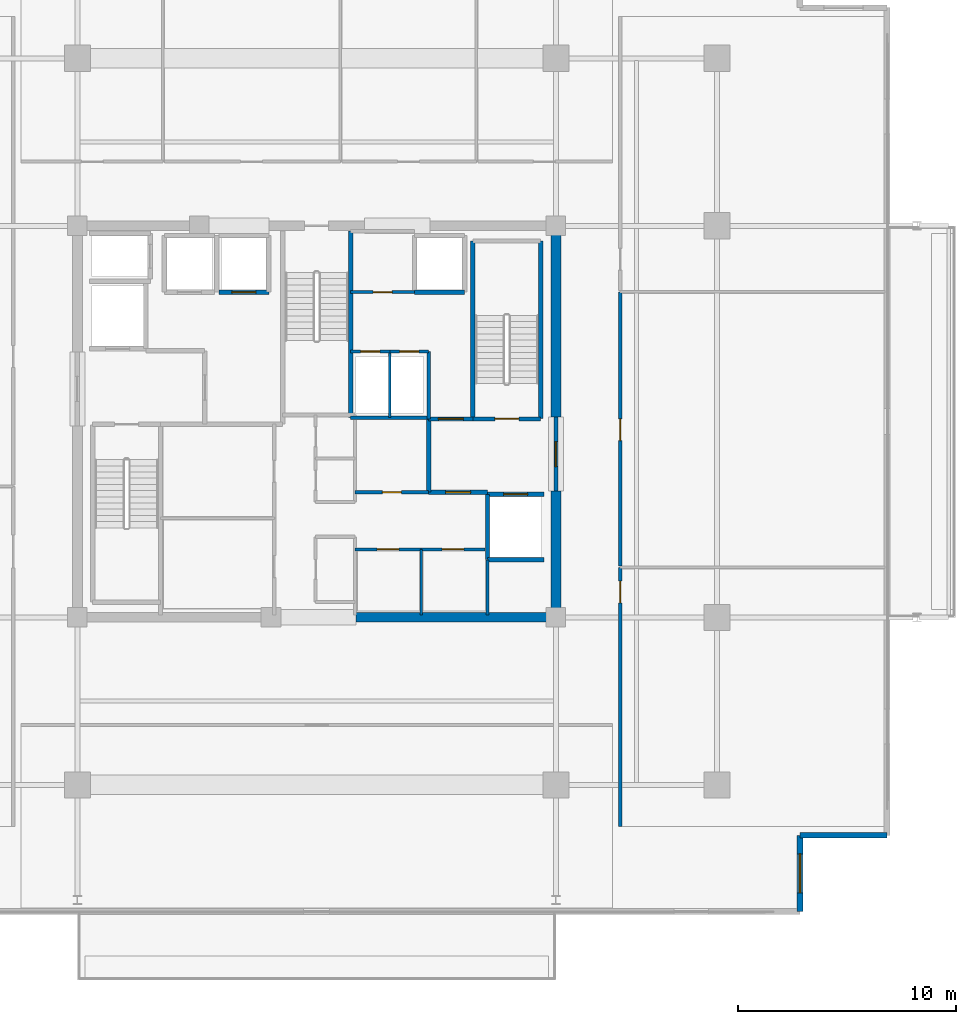
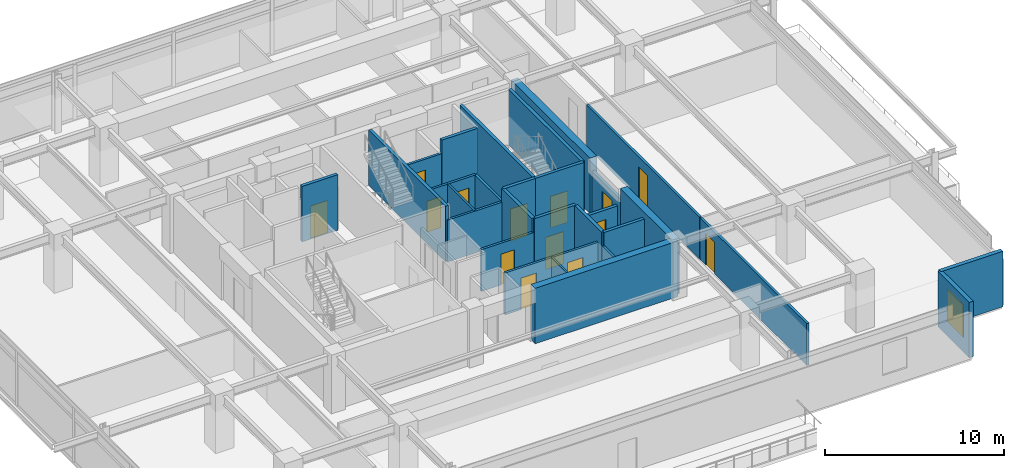
# One storey, part 17 of 23: 31 walls, 14 doors, 1 window, 15 openings.
"""IFC4 building model written with IfcOpenShell, lengths in metres."""

from ifc_helpers import new_model, si_unit, direction, frame, frame_2d, origin, place, context, subcontext, project, spatial, rectangle, extrude, material, layer, layer_set, type_object, element, fill, save


model = new_model("IFC4")

# Units and contexts
model_context = context("Model", 3, precision=1e-05, world=origin(), true_north=direction((0.0, 1.0)))
body_context = subcontext(model_context, "Body", "Model", "MODEL_VIEW")
ifc_project = project(units=[si_unit("LENGTHUNIT", "METRE"), si_unit("AREAUNIT", "SQUARE_METRE"), si_unit("VOLUMEUNIT", "CUBIC_METRE"), si_unit("PLANEANGLEUNIT", "RADIAN"), si_unit("MASSUNIT", "GRAM", prefix="KILO")], contexts=[model_context])

# Site, building, storey
site_placement = place(None, origin())
site = spatial("IfcSite", under=ifc_project, at=site_placement, CompositionType="ELEMENT")
building_placement = place(site_placement, origin())
building = spatial("IfcBuilding", under=site, at=building_placement, Name="Kovane Verandah Tower", CompositionType="ELEMENT")
storey_placement = place(building_placement, frame((0.0, 0.0, 267.199951171875)))
storey = spatial("IfcBuildingStorey", under=building, at=storey_placement, Name="L62", CompositionType="ELEMENT", Elevation=267.199951171875)

# Walls
ifc_material_1 = material(Name="Fire-Rated Gypsum Stud Partition", Category="gypsum")
ifc_layer_1 = layer(ifc_material_1, 0.14990234375)
ifc_layer_set_1 = layer_set([ifc_layer_1], Name="Fire-Rated Gypsum Stud Partition")
wall_type_1 = type_object("IfcWallType", Name="WL-COR-150", PredefinedType="PARTITIONING", material=ifc_layer_set_1)
wall_1_placement = place(storey_placement, frame((41.56005859375, 27.679931640625, 0.0), z_axis=(0.0, 0.0, 1.0), x_axis=(1.0, 0.0, 0.0)))
element("IfcWall", 1, at=wall_1_placement, inside=storey, type_object=wall_type_1, Name="L62 East Core Service Riser South Wall", PredefinedType="PARTITIONING", context=body_context, shape_type="SweptSolid", body=[
    extrude(rectangle(XDim=3.58984375, YDim=0.14990234375, at=frame_2d((1.794921875, 0.0))), origin(), (0.0, 0.0, 1.0), 2.85009765625),
])
wall_2_placement = place(storey_placement, frame((47.85009765625, 18.60009765625, 0.0), z_axis=(0.0, 0.0, 1.0), x_axis=(0.0, 1.0, 0.0)))
element("IfcWall", 2, at=wall_2_placement, inside=storey, type_object=wall_type_1, Name="L62 East Core Support East Wall", PredefinedType="PARTITIONING", context=body_context, shape_type="SweptSolid", body=[
    extrude(rectangle(XDim=2.539794921875, YDim=0.14990234375, at=frame_2d((1.27001953125, 0.0))), origin(), (0.0, 0.0, 1.0), 2.85009765625),
])

# Wall, opening, door
wall_3_placement = place(storey_placement, frame((41.760009765625, 21.6201171875, 0.0), z_axis=(0.0, 0.0, 1.0), x_axis=(1.0, 0.0, 0.0)))
wall_3 = element("IfcWall", 3, at=wall_3_placement, inside=storey, type_object=wall_type_1, Name="L62 AV Control Room Partition", PredefinedType="PARTITIONING", context=body_context, shape_type="SweptSolid", body=[
    extrude(rectangle(XDim=3.0400390625, YDim=0.14990234375, at=frame_2d((1.52001953125, 0.0))), origin(), (0.0, 0.0, 1.0), 2.85009765625),
])
opening_1_placement = place(wall_3_placement, frame((1.02001953125, 0.0, 0.0)))
opening_1 = element("IfcOpeningElement", 4, at=opening_1_placement, cuts=wall_3, Name="Opening DR-L62-016", PredefinedType="OPENING", context=body_context, shape_type="SweptSolid", body=[
    extrude(rectangle(XDim=1.0, YDim=2.14990234375, at=frame_2d((0.5, 1.074951171875))), frame((0.0, 0.074951171875, 0.0), z_axis=(0.0, -1.0, 0.0), x_axis=(1.0, 0.0, 0.0)), (0.0, 0.0, 1.0), 0.14990234375),
])
ifc_material_2 = material(Name="FSC Spotted-Gum Timber Fire-Rated Office Door", Category="wood")
door_type_1 = type_object("IfcDoorType", Name="DR-OFF-1000", OperationType="SINGLE_SWING_LEFT", PredefinedType="DOOR", material=ifc_material_2)
door_1_placement = place(opening_1_placement, origin())
door_1 = element("IfcDoor", 5, at=door_1_placement, inside=storey, type_object=door_type_1, Name="L62 AV Control Room Door", OperationType="SINGLE_SWING_RIGHT", OverallHeight=2.14990234375, OverallWidth=1.0, PredefinedType="DOOR", context=body_context, shape_type="SweptSolid", body=[
    extrude(rectangle(XDim=1.0, YDim=2.14990234375, at=frame_2d((0.5, 1.074951171875))), frame((0.0, 0.02490234375, 0.0), z_axis=(0.0, -1.0, 0.0), x_axis=(1.0, 0.0, 0.0)), (0.0, 0.0, 1.0), 0.050048828125),
])
fill(opening_1, door_1)

wall_4_placement = place(storey_placement, frame((44.800048828125, 21.6201171875, 0.0), z_axis=(0.0, 0.0, 1.0), x_axis=(1.0, 0.0, 0.0)))
wall_4 = element("IfcWall", 6, at=wall_4_placement, inside=storey, type_object=wall_type_1, Name="L62 East IT Server Room Partition", PredefinedType="PARTITIONING", context=body_context, shape_type="SweptSolid", body=[
    extrude(rectangle(XDim=2.93994140625, YDim=0.14990234375, at=frame_2d((1.469970703125, 0.0))), origin(), (0.0, 0.0, 1.0), 2.85009765625),
])
opening_2_placement = place(wall_4_placement, frame((0.969970703125, 0.0, 0.0)))
opening_2 = element("IfcOpeningElement", 7, at=opening_2_placement, cuts=wall_4, Name="Opening DR-L62-017", PredefinedType="OPENING", context=body_context, shape_type="SweptSolid", body=[
    extrude(rectangle(XDim=1.0, YDim=2.14990234375, at=frame_2d((0.5, 1.074951171875))), frame((0.0, 0.074951171875, 0.0), z_axis=(0.0, -1.0, 0.0), x_axis=(1.0, 0.0, 0.0)), (0.0, 0.0, 1.0), 0.14990234375),
])
door_2_placement = place(opening_2_placement, origin())
door_2 = element("IfcDoor", 8, at=door_2_placement, inside=storey, type_object=door_type_1, Name="L62 East IT Server Room Door", OperationType="SINGLE_SWING_LEFT", OverallHeight=2.14990234375, OverallWidth=1.0, PredefinedType="DOOR", context=body_context, shape_type="SweptSolid", body=[
    extrude(rectangle(XDim=1.0, YDim=2.14990234375, at=frame_2d((0.5, 1.074951171875))), frame((0.0, 0.02490234375, 0.0), z_axis=(0.0, -1.0, 0.0), x_axis=(1.0, 0.0, 0.0)), (0.0, 0.0, 1.0), 0.050048828125),
])
fill(opening_2, door_2)

wall_5_placement = place(storey_placement, frame((41.760009765625, 24.25, 0.0), z_axis=(0.0, 0.0, 1.0), x_axis=(1.0, 0.0, 0.0)))
wall_5 = element("IfcWall", 9, at=wall_5_placement, inside=storey, type_object=wall_type_1, Name="L62 Cleaner Store Partition", PredefinedType="PARTITIONING", context=body_context, shape_type="SweptSolid", body=[
    extrude(rectangle(XDim=3.389892578125, YDim=0.14990234375, at=frame_2d((1.69482421875, 0.0))), origin(), (0.0, 0.0, 1.0), 2.85009765625),
])
opening_3_placement = place(wall_5_placement, frame((1.2548828125, 0.0, 0.0)))
opening_3 = element("IfcOpeningElement", 10, at=opening_3_placement, cuts=wall_5, Name="Opening DR-L62-018", PredefinedType="OPENING", context=body_context, shape_type="SweptSolid", body=[
    extrude(rectangle(XDim=0.8798828125, YDim=2.10009765625, at=frame_2d((0.43994140625, 1.050048828125))), frame((0.0, 0.074951171875, 0.0), z_axis=(0.0, -1.0, 0.0), x_axis=(1.0, 0.0, 0.0)), (0.0, 0.0, 1.0), 0.14990234375),
])
ifc_material_3 = material(Name="Fire-Rated Steel Riser Access Door", Category="steel")
door_type_2 = type_object("IfcDoorType", Name="DR-RISER-880", OperationType="SINGLE_SWING_LEFT", PredefinedType="DOOR", material=ifc_material_3)
door_3_placement = place(opening_3_placement, origin())
door_3 = element("IfcDoor", 11, at=door_3_placement, inside=storey, type_object=door_type_2, Name="L62 Cleaner Store Door", OperationType="SINGLE_SWING_RIGHT", OverallHeight=2.10009765625, OverallWidth=0.8798828125, PredefinedType="DOOR", context=body_context, shape_type="SweptSolid", body=[
    extrude(rectangle(XDim=0.8798828125, YDim=2.10009765625, at=frame_2d((0.43994140625, 1.050048828125))), frame((0.0, 0.02490234375, 0.0), z_axis=(0.0, -1.0, 0.0), x_axis=(1.0, 0.0, 0.0)), (0.0, 0.0, 1.0), 0.050048828125),
])
fill(opening_3, door_3)

# Wall
wall_6_placement = place(storey_placement, frame((45.14990234375, 27.6201171875, 0.0), z_axis=(0.0, 0.0, 1.0), x_axis=(0.0, 1.0, 0.0)))
element("IfcWall", 12, at=wall_6_placement, inside=storey, type_object=wall_type_1, Name="L62 East Core Service Riser East Wall", PredefinedType="PARTITIONING", context=body_context, shape_type="SweptSolid", body=[
    extrude(rectangle(XDim=3.099853515625, YDim=0.14990234375, at=frame_2d((1.5498046875, 0.0))), origin(), (0.0, 0.0, 1.0), 2.85009765625),
])

# Wall, opening, door
wall_7_placement = place(storey_placement, frame((41.56005859375, 30.719970703125, 0.0), z_axis=(0.0, 0.0, 1.0), x_axis=(1.0, 0.0, 0.0)))
wall_7 = element("IfcWall", 13, at=wall_7_placement, inside=storey, type_object=wall_type_1, Name="L62 Chilled Water Riser Room Partition", PredefinedType="PARTITIONING", context=body_context, shape_type="SweptSolid", body=[
    extrude(rectangle(XDim=1.800048828125, YDim=0.14990234375, at=frame_2d((0.89990234375, 0.0))), origin(), (0.0, 0.0, 1.0), 2.85009765625),
])
opening_4_placement = place(wall_7_placement, frame((0.4599609375, 0.0, 0.0)))
opening_4 = element("IfcOpeningElement", 14, at=opening_4_placement, cuts=wall_7, Name="Opening DR-L62-020", PredefinedType="OPENING", context=body_context, shape_type="SweptSolid", body=[
    extrude(rectangle(XDim=0.8798828125, YDim=2.10009765625, at=frame_2d((0.43994140625, 1.050048828125))), frame((0.0, 0.074951171875, 0.0), z_axis=(0.0, -1.0, 0.0), x_axis=(1.0, 0.0, 0.0)), (0.0, 0.0, 1.0), 0.14990234375),
])
door_4_placement = place(opening_4_placement, origin())
door_4 = element("IfcDoor", 15, at=door_4_placement, inside=storey, type_object=door_type_2, Name="L62 Chilled Water Riser Room Door", OperationType="SINGLE_SWING_LEFT", OverallHeight=2.10009765625, OverallWidth=0.8798828125, PredefinedType="DOOR", context=body_context, shape_type="SweptSolid", body=[
    extrude(rectangle(XDim=0.8798828125, YDim=2.10009765625, at=frame_2d((0.43994140625, 1.050048828125))), frame((0.0, 0.02490234375, 0.0), z_axis=(0.0, -1.0, 0.0), x_axis=(1.0, 0.0, 0.0)), (0.0, 0.0, 1.0), 0.050048828125),
])
fill(opening_4, door_4)

wall_8_placement = place(storey_placement, frame((43.360107421875, 30.719970703125, 0.0), z_axis=(0.0, 0.0, 1.0), x_axis=(1.0, 0.0, 0.0)))
wall_8 = element("IfcWall", 16, at=wall_8_placement, inside=storey, type_object=wall_type_1, Name="L62 Smoke Extract Duct Room Partition", PredefinedType="PARTITIONING", context=body_context, shape_type="SweptSolid", body=[
    extrude(rectangle(XDim=1.789794921875, YDim=0.14990234375, at=frame_2d((0.89501953125, 0.0))), origin(), (0.0, 0.0, 1.0), 2.85009765625),
])
opening_5_placement = place(wall_8_placement, frame((0.455078125, 0.0, 0.0)))
opening_5 = element("IfcOpeningElement", 17, at=opening_5_placement, cuts=wall_8, Name="Opening DR-L62-021", PredefinedType="OPENING", context=body_context, shape_type="SweptSolid", body=[
    extrude(rectangle(XDim=0.8798828125, YDim=2.10009765625, at=frame_2d((0.43994140625, 1.050048828125))), frame((0.0, 0.074951171875, 0.0), z_axis=(0.0, -1.0, 0.0), x_axis=(1.0, 0.0, 0.0)), (0.0, 0.0, 1.0), 0.14990234375),
])
door_5_placement = place(opening_5_placement, origin())
door_5 = element("IfcDoor", 18, at=door_5_placement, inside=storey, type_object=door_type_2, Name="L62 Smoke Extract Duct Room Door", OperationType="SINGLE_SWING_RIGHT", OverallHeight=2.10009765625, OverallWidth=0.8798828125, PredefinedType="DOOR", context=body_context, shape_type="SweptSolid", body=[
    extrude(rectangle(XDim=0.8798828125, YDim=2.10009765625, at=frame_2d((0.43994140625, 1.050048828125))), frame((0.0, 0.02490234375, 0.0), z_axis=(0.0, -1.0, 0.0), x_axis=(1.0, 0.0, 0.0)), (0.0, 0.0, 1.0), 0.050048828125),
])
fill(opening_5, door_5)

wall_9_placement = place(storey_placement, frame((41.56005859375, 33.449951171875, 0.0), z_axis=(0.0, 0.0, 1.0), x_axis=(1.0, 0.0, 0.0)))
wall_9 = element("IfcWall", 19, at=wall_9_placement, inside=storey, type_object=wall_type_1, Name="L62 Sky Telecom Riser Room Partition", PredefinedType="PARTITIONING", context=body_context, shape_type="SweptSolid", body=[
    extrude(rectangle(XDim=2.93994140625, YDim=0.14990234375, at=frame_2d((1.469970703125, 0.0))), origin(), (0.0, 0.0, 1.0), 2.85009765625),
])
opening_6_placement = place(wall_9_placement, frame((1.030029296875, 0.0, 0.0)))
opening_6 = element("IfcOpeningElement", 20, at=opening_6_placement, cuts=wall_9, Name="Opening DR-L62-019", PredefinedType="OPENING", context=body_context, shape_type="SweptSolid", body=[
    extrude(rectangle(XDim=0.8798828125, YDim=2.10009765625, at=frame_2d((0.43994140625, 1.050048828125))), frame((0.0, 0.074951171875, 0.0), z_axis=(0.0, -1.0, 0.0), x_axis=(1.0, 0.0, 0.0)), (0.0, 0.0, 1.0), 0.14990234375),
])
door_6_placement = place(opening_6_placement, origin())
door_6 = element("IfcDoor", 21, at=door_6_placement, inside=storey, type_object=door_type_2, Name="L62 Sky Telecom Riser Room Door", OperationType="SINGLE_SWING_LEFT", OverallHeight=2.10009765625, OverallWidth=0.8798828125, PredefinedType="DOOR", context=body_context, shape_type="SweptSolid", body=[
    extrude(rectangle(XDim=0.8798828125, YDim=2.10009765625, at=frame_2d((0.43994140625, 1.050048828125))), frame((0.0, 0.02490234375, 0.0), z_axis=(0.0, -1.0, 0.0), x_axis=(1.0, 0.0, 0.0)), (0.0, 0.0, 1.0), 0.050048828125),
])
fill(opening_6, door_6)

wall_10_placement = place(storey_placement, frame((53.949951171875, 8.876708984375, 0.0), z_axis=(0.0, 0.0, 1.0), x_axis=(0.0, 1.0, 0.0)))
wall_10 = element("IfcWall", 22, at=wall_10_placement, inside=storey, type_object=wall_type_1, Name="L62 Focus Studio E1 Corridor Partition", PredefinedType="PARTITIONING", context=body_context, shape_type="SweptSolid", body=[
    extrude(rectangle(XDim=11.9189453125, YDim=0.14990234375, at=frame_2d((5.95947265625, 0.0))), origin(), (0.0, 0.0, 1.0), 2.85009765625),
])
opening_7_placement = place(wall_10_placement, frame((10.2861328125, 0.0, 0.0)))
opening_7 = element("IfcOpeningElement", 23, at=opening_7_placement, cuts=wall_10, Name="Opening DR-L62-011", PredefinedType="OPENING", context=body_context, shape_type="SweptSolid", body=[
    extrude(rectangle(XDim=1.0, YDim=2.14990234375, at=frame_2d((0.5, 1.074951171875))), frame((0.0, 0.074951171875, 0.0), z_axis=(0.0, -1.0, 0.0), x_axis=(1.0, 0.0, 0.0)), (0.0, 0.0, 1.0), 0.14990234375),
])
door_7_placement = place(opening_7_placement, origin())
door_7 = element("IfcDoor", 24, at=door_7_placement, inside=storey, type_object=door_type_1, Name="L62 Focus Studio E1 Entrance Door", OperationType="SINGLE_SWING_LEFT", OverallHeight=2.14990234375, OverallWidth=1.0, PredefinedType="DOOR", context=body_context, shape_type="SweptSolid", body=[
    extrude(rectangle(XDim=1.0, YDim=2.14990234375, at=frame_2d((0.5, 1.074951171875))), frame((0.0, 0.02490234375, 0.0), z_axis=(0.0, -1.0, 0.0), x_axis=(1.0, 0.0, 0.0)), (0.0, 0.0, 1.0), 0.050048828125),
])
fill(opening_7, door_7)

wall_11_placement = place(storey_placement, frame((53.949951171875, 20.865478515625, 0.0), z_axis=(0.0, 0.0, 1.0), x_axis=(0.0, 1.0, 0.0)))
wall_11 = element("IfcWall", 25, at=wall_11_placement, inside=storey, type_object=wall_type_1, Name="L62 Breakout Pantry E2 Corridor Partition", PredefinedType="PARTITIONING", context=body_context, shape_type="SweptSolid", body=[
    extrude(rectangle(XDim=12.593994140625, YDim=0.14990234375, at=frame_2d((6.296875, 0.0))), origin(), (0.0, 0.0, 1.0), 2.85009765625),
])
opening_8_placement = place(wall_11_placement, frame((5.761962890625, 0.0, 0.0)))
opening_8 = element("IfcOpeningElement", 26, at=opening_8_placement, cuts=wall_11, Name="Opening DR-L62-012", PredefinedType="OPENING", context=body_context, shape_type="SweptSolid", body=[
    extrude(rectangle(XDim=1.0, YDim=2.14990234375, at=frame_2d((0.5, 1.074951171875))), frame((0.0, 0.074951171875, 0.0), z_axis=(0.0, -1.0, 0.0), x_axis=(1.0, 0.0, 0.0)), (0.0, 0.0, 1.0), 0.14990234375),
])
door_8_placement = place(opening_8_placement, origin())
door_8 = element("IfcDoor", 27, at=door_8_placement, inside=storey, type_object=door_type_1, Name="L62 Breakout Pantry E2 Entrance Door", OperationType="SINGLE_SWING_RIGHT", OverallHeight=2.14990234375, OverallWidth=1.0, PredefinedType="DOOR", context=body_context, shape_type="SweptSolid", body=[
    extrude(rectangle(XDim=1.0, YDim=2.14990234375, at=frame_2d((0.5, 1.074951171875))), frame((0.0, 0.02490234375, 0.0), z_axis=(0.0, -1.0, 0.0), x_axis=(1.0, 0.0, 0.0)), (0.0, 0.0, 1.0), 0.050048828125),
])
fill(opening_8, door_8)

# Walls
ifc_material_4 = material(Name="Concrete C60/75", Category="concrete")
ifc_layer_2 = layer(ifc_material_4, 0.449951171875)
ifc_layer_set_2 = layer_set([ifc_layer_2], Name="Concrete C60/75")
wall_type_2 = type_object("IfcWallType", Name="WL-CORE-450", PredefinedType="SHEAR", material=ifc_layer_set_2)
wall_12_placement = place(storey_placement, frame((41.800048828125, 18.5, 0.0), z_axis=(0.0, 0.0, 1.0), x_axis=(1.0, 0.0, 0.0)))
element("IfcWall", 28, at=wall_12_placement, inside=storey, type_object=wall_type_2, Name="L62 Core Shear Wall CS-2", PredefinedType="SHEAR", context=body_context, shape_type="SweptSolid", body=[
    extrude(rectangle(XDim=9.199951171875, YDim=0.449951171875, at=frame_2d((4.60009765625, 0.0))), origin(), (0.0, 0.0, 1.0), 3.78515625),
])
wall_13_placement = place(storey_placement, frame((51.0, 18.5, 0.0), z_axis=(0.0, 0.0, 1.0), x_axis=(0.0, 1.0, 0.0)))
element("IfcWall", 29, at=wall_13_placement, inside=storey, type_object=wall_type_2, Name="L62 Core Shear Wall CE-1", PredefinedType="SHEAR", context=body_context, shape_type="SweptSolid", body=[
    extrude(rectangle(XDim=5.800048828125, YDim=0.449951171875, at=frame_2d((2.89990234375, 0.0))), origin(), (0.0, 0.0, 1.0), 3.78515625),
])
wall_14_placement = place(storey_placement, frame((51.0, 27.699951171875, 0.0), z_axis=(0.0, 0.0, 1.0), x_axis=(0.0, 1.0, 0.0)))
element("IfcWall", 30, at=wall_14_placement, inside=storey, type_object=wall_type_2, Name="L62 Core Shear Wall CE-2", PredefinedType="SHEAR", context=body_context, shape_type="SweptSolid", body=[
    extrude(rectangle(XDim=8.800048828125, YDim=0.449951171875, at=frame_2d((4.39990234375, 0.0))), origin(), (0.0, 0.0, 1.0), 3.78515625),
])
ifc_material_5 = material(Name="Concrete C45/55 Fire Wall", Category="concrete")
ifc_layer_3 = layer(ifc_material_5, 0.199951171875)
ifc_layer_set_3 = layer_set([ifc_layer_3], Name="Concrete C45/55 Fire Wall")
wall_type_3 = type_object("IfcWallType", Name="WL-FFL-200", PredefinedType="PARTITIONING", material=ifc_layer_set_3)
wall_15_placement = place(storey_placement, frame((45.14990234375, 24.25, 0.0), z_axis=(0.0, 0.0, 1.0), x_axis=(0.0, 1.0, 0.0)))
element("IfcWall", 31, at=wall_15_placement, inside=storey, type_object=wall_type_3, Name="L62 East Firefighting Lobby West Fire Wall", PredefinedType="PARTITIONING", context=body_context, shape_type="SweptSolid", body=[
    extrude(rectangle(XDim=3.3701171875, YDim=0.199951171875, at=frame_2d((1.68505859375, 0.0))), origin(), (0.0, 0.0, 1.0), 3.78515625),
])

# Wall, opening, door
wall_16_placement = place(storey_placement, frame((45.14990234375, 24.25, 0.0), z_axis=(0.0, 0.0, 1.0), x_axis=(1.0, 0.0, 0.0)))
wall_16 = element("IfcWall", 32, at=wall_16_placement, inside=storey, type_object=wall_type_3, Name="W-L62-FFLE-S", PredefinedType="PARTITIONING", context=body_context, shape_type="SweptSolid", body=[
    extrude(rectangle(XDim=2.7001953125, YDim=0.199951171875, at=frame_2d((1.35009765625, 0.0))), origin(), (0.0, 0.0, 1.0), 3.78515625),
])
opening_9_placement = place(wall_16_placement, frame((0.77490234375, 0.0, 0.0)))
opening_9 = element("IfcOpeningElement", 33, at=opening_9_placement, cuts=wall_16, Name="Opening DR-L62-003", PredefinedType="OPENING", context=body_context, shape_type="SweptSolid", body=[
    extrude(rectangle(XDim=1.14990234375, YDim=2.199951171875, at=frame_2d((0.574951171875, 1.10009765625))), frame((0.0, 0.10009765625, 0.0), z_axis=(0.0, -1.0, 0.0), x_axis=(1.0, 0.0, 0.0)), (0.0, 0.0, 1.0), 0.199951171875),
])
ifc_material_6 = material(Name="Smoke-Sealed Firefighting Lobby Door", Category="steel")
door_type_3 = type_object("IfcDoorType", Name="DR-FFL-1150", OperationType="SINGLE_SWING_LEFT", PredefinedType="DOOR", material=ifc_material_6)
door_9_placement = place(opening_9_placement, origin())
door_9 = element("IfcDoor", 34, at=door_9_placement, inside=storey, type_object=door_type_3, Name="L62 East Firefighting Lobby Inner Door", OperationType="SINGLE_SWING_RIGHT", OverallHeight=2.199951171875, OverallWidth=1.14990234375, PredefinedType="DOOR", context=body_context, shape_type="SweptSolid", body=[
    extrude(rectangle(XDim=1.14990234375, YDim=2.199951171875, at=frame_2d((0.574951171875, 1.10009765625))), frame((0.0, 0.02490234375, 0.0), z_axis=(0.0, -1.0, 0.0), x_axis=(1.0, 0.0, 0.0)), (0.0, 0.0, 1.0), 0.050048828125),
])
fill(opening_9, door_9)

wall_17_placement = place(storey_placement, frame((45.14990234375, 27.6201171875, 0.0), z_axis=(0.0, 0.0, 1.0), x_axis=(1.0, 0.0, 0.0)))
wall_17 = element("IfcWall", 35, at=wall_17_placement, inside=storey, type_object=wall_type_3, Name="W-L62-FFLE-N", PredefinedType="PARTITIONING", context=body_context, shape_type="SweptSolid", body=[
    extrude(rectangle(XDim=2.030029296875, YDim=0.199951171875, at=frame_2d((1.01513671875, 0.0))), origin(), (0.0, 0.0, 1.0), 3.78515625),
])
opening_10_placement = place(wall_17_placement, frame((0.43994140625, 0.0, 0.0)))
opening_10 = element("IfcOpeningElement", 36, at=opening_10_placement, cuts=wall_17, Name="Opening DR-L62-004", PredefinedType="OPENING", context=body_context, shape_type="SweptSolid", body=[
    extrude(rectangle(XDim=1.14990234375, YDim=2.199951171875, at=frame_2d((0.574951171875, 1.10009765625))), frame((0.0, 0.10009765625, 0.0), z_axis=(0.0, -1.0, 0.0), x_axis=(1.0, 0.0, 0.0)), (0.0, 0.0, 1.0), 0.199951171875),
])
door_10_placement = place(opening_10_placement, origin())
door_10 = element("IfcDoor", 37, at=door_10_placement, inside=storey, type_object=door_type_3, Name="L62 East Firefighting Lobby Shuttle Link Door", OperationType="SINGLE_SWING_LEFT", OverallHeight=2.199951171875, OverallWidth=1.14990234375, PredefinedType="DOOR", context=body_context, shape_type="SweptSolid", body=[
    extrude(rectangle(XDim=1.14990234375, YDim=2.199951171875, at=frame_2d((0.574951171875, 1.10009765625))), frame((0.0, 0.02490234375, 0.0), z_axis=(0.0, -1.0, 0.0), x_axis=(1.0, 0.0, 0.0)), (0.0, 0.0, 1.0), 0.050048828125),
])
fill(opening_10, door_10)

wall_18_placement = place(storey_placement, frame((51.0, 24.300048828125, 0.0), z_axis=(0.0, 0.0, 1.0), x_axis=(0.0, 1.0, 0.0)))
wall_18 = element("IfcWall", 38, at=wall_18_placement, inside=storey, type_object=wall_type_3, Name="W-L62-FFLE-OUT", PredefinedType="PARTITIONING", context=body_context, shape_type="SweptSolid", body=[
    extrude(rectangle(XDim=3.39990234375, YDim=0.199951171875, at=frame_2d((1.699951171875, 0.0))), origin(), (0.0, 0.0, 1.0), 2.864990234375),
])
opening_11_placement = place(wall_18_placement, frame((1.125, 0.0, 0.0)))
opening_11 = element("IfcOpeningElement", 39, at=opening_11_placement, cuts=wall_18, Name="Opening DR-L62-005", PredefinedType="OPENING", context=body_context, shape_type="SweptSolid", body=[
    extrude(rectangle(XDim=1.14990234375, YDim=2.199951171875, at=frame_2d((0.574951171875, 1.10009765625))), frame((0.0, 0.10009765625, 0.0), z_axis=(0.0, -1.0, 0.0), x_axis=(1.0, 0.0, 0.0)), (0.0, 0.0, 1.0), 0.199951171875),
])
door_11_placement = place(opening_11_placement, origin())
door_11 = element("IfcDoor", 40, at=door_11_placement, inside=storey, type_object=door_type_3, Name="L62 East Firefighting Lobby Corridor Door", OperationType="SINGLE_SWING_LEFT", OverallHeight=2.199951171875, OverallWidth=1.14990234375, PredefinedType="DOOR", context=body_context, shape_type="SweptSolid", body=[
    extrude(rectangle(XDim=1.14990234375, YDim=2.199951171875, at=frame_2d((0.574951171875, 1.10009765625))), frame((0.0, 0.02490234375, 0.0), z_axis=(0.0, -1.0, 0.0), x_axis=(1.0, 0.0, 0.0)), (0.0, 0.0, 1.0), 0.050048828125),
])
fill(opening_11, door_11)

# Wall
ifc_material_7 = material(Name="Concrete C45/55 Lift Shaft Wall", Category="concrete")
ifc_layer_4 = layer(ifc_material_7, 0.199951171875)
ifc_layer_set_4 = layer_set([ifc_layer_4], Name="Concrete C45/55 Lift Shaft Wall")
wall_type_4 = type_object("IfcWallType", Name="WL-LIFT-200", PredefinedType="SOLIDWALL", material=ifc_layer_set_4)
wall_19_placement = place(storey_placement, frame((47.85009765625, 21.14990234375, 0.0), z_axis=(0.0, 0.0, 1.0), x_axis=(1.0, 0.0, 0.0)))
element("IfcWall", 41, at=wall_19_placement, inside=storey, type_object=wall_type_4, Name="L62 Lift FL-02 S Shaft Wall", PredefinedType="SOLIDWALL", context=body_context, shape_type="SweptSolid", body=[
    extrude(rectangle(XDim=2.599853515625, YDim=0.199951171875, at=frame_2d((1.2998046875, 0.0))), origin(), (0.0, 0.0, 1.0), 3.78515625),
])

# Wall, opening, door
wall_20_placement = place(storey_placement, frame((50.449951171875, 24.14990234375, 0.0), z_axis=(0.0, 0.0, 1.0), x_axis=(-1.0, 0.0, 0.0)))
wall_20 = element("IfcWall", 42, at=wall_20_placement, inside=storey, type_object=wall_type_4, Name="L62 Lift FL-02 N Shaft Wall", PredefinedType="SOLIDWALL", context=body_context, shape_type="SweptSolid", body=[
    extrude(rectangle(XDim=2.599853515625, YDim=0.199951171875, at=frame_2d((1.2998046875, 0.0))), origin(), (0.0, 0.0, 1.0), 2.864990234375),
])
opening_12_placement = place(wall_20_placement, frame((0.75, 0.0, 0.0)))
opening_12 = element("IfcOpeningElement", 43, at=opening_12_placement, cuts=wall_20, Name="Opening LD-L62-002", PredefinedType="OPENING", context=body_context, shape_type="SweptSolid", body=[
    extrude(rectangle(XDim=1.10009765625, YDim=2.199951171875, at=frame_2d((0.550048828125, 1.10009765625))), frame((0.0, 0.10009765625, 0.0), z_axis=(0.0, -1.0, 0.0), x_axis=(1.0, 0.0, 0.0)), (0.0, 0.0, 1.0), 0.199951171875),
])
ifc_material_8 = material(Name="Brushed Stainless Steel Sliding Lift Landing Door", Category="steel")
door_type_4 = type_object("IfcDoorType", Name="DR-LIFT-1100", OperationType="SLIDING_TO_RIGHT", PredefinedType="DOOR", material=ifc_material_8)
door_12_placement = place(opening_12_placement, origin())
door_12 = element("IfcDoor", 44, at=door_12_placement, inside=storey, type_object=door_type_4, Name="L62 Lift FL-02 Sliding Landing Door", OperationType="SLIDING_TO_RIGHT", OverallHeight=2.199951171875, OverallWidth=1.10009765625, PredefinedType="DOOR", context=body_context, shape_type="SweptSolid", body=[
    extrude(rectangle(XDim=1.10009765625, YDim=2.199951171875, at=frame_2d((0.550048828125, 1.10009765625))), frame((0.0, 0.02490234375, 0.0), z_axis=(0.0, -1.0, 0.0), x_axis=(1.0, 0.0, 0.0)), (0.0, 0.0, 1.0), 0.050048828125),
])
fill(opening_12, door_12)

# Wall
wall_21_placement = place(storey_placement, frame((47.85009765625, 24.14990234375, 0.0), z_axis=(0.0, 0.0, 1.0), x_axis=(0.0, -1.0, 0.0)))
element("IfcWall", 45, at=wall_21_placement, inside=storey, type_object=wall_type_4, Name="L62 Lift FL-02 W Shaft Wall", PredefinedType="SOLIDWALL", context=body_context, shape_type="SweptSolid", body=[
    extrude(rectangle(XDim=3.0, YDim=0.199951171875, at=frame_2d((1.5, 0.0))), origin(), (0.0, 0.0, 1.0), 3.78515625),
])

# Wall, opening, door
wall_22_placement = place(storey_placement, frame((35.5, 33.449951171875, 0.0), z_axis=(0.0, 0.0, 1.0), x_axis=(1.0, 0.0, 0.0)))
wall_22 = element("IfcWall", 46, at=wall_22_placement, inside=storey, type_object=wall_type_4, Name="L62 Lift PL-H2 S Shaft Wall", PredefinedType="SOLIDWALL", context=body_context, shape_type="SweptSolid", body=[
    extrude(rectangle(XDim=2.300048828125, YDim=0.199951171875, at=frame_2d((1.14990234375, 0.0))), origin(), (0.0, 0.0, 1.0), 3.78515625),
])
opening_13_placement = place(wall_22_placement, frame((0.60009765625, 0.0, 0.0)))
opening_13 = element("IfcOpeningElement", 47, at=opening_13_placement, cuts=wall_22, Name="Opening LD-L62-005", PredefinedType="OPENING", context=body_context, shape_type="SweptSolid", body=[
    extrude(rectangle(XDim=1.10009765625, YDim=2.199951171875, at=frame_2d((0.550048828125, 1.10009765625))), frame((0.0, 0.10009765625, 0.0), z_axis=(0.0, -1.0, 0.0), x_axis=(1.0, 0.0, 0.0)), (0.0, 0.0, 1.0), 0.199951171875),
])
door_13_placement = place(opening_13_placement, origin())
door_13 = element("IfcDoor", 48, at=door_13_placement, inside=storey, type_object=door_type_4, Name="L62 Lift PL-H2 Sliding Landing Door", OperationType="SLIDING_TO_RIGHT", OverallHeight=2.199951171875, OverallWidth=1.10009765625, PredefinedType="DOOR", context=body_context, shape_type="SweptSolid", body=[
    extrude(rectangle(XDim=1.10009765625, YDim=2.199951171875, at=frame_2d((0.550048828125, 1.10009765625))), frame((0.0, 0.02490234375, 0.0), z_axis=(0.0, -1.0, 0.0), x_axis=(1.0, 0.0, 0.0)), (0.0, 0.0, 1.0), 0.050048828125),
])
fill(opening_13, door_13)

# Walls
wall_23_placement = place(storey_placement, frame((44.5, 33.449951171875, 0.0), z_axis=(0.0, 0.0, 1.0), x_axis=(1.0, 0.0, 0.0)))
element("IfcWall", 49, at=wall_23_placement, inside=storey, type_object=wall_type_4, Name="L62 Lift OL-01 S Shaft Wall", PredefinedType="SOLIDWALL", context=body_context, shape_type="SweptSolid", body=[
    extrude(rectangle(XDim=2.300048828125, YDim=0.199951171875, at=frame_2d((1.14990234375, 0.0))), origin(), (0.0, 0.0, 1.0), 3.78515625),
])
ifc_material_9 = material(Name="Acoustic Fire-Rated Gypsum Partition", Category="gypsum")
ifc_layer_5 = layer(ifc_material_9, 0.1201171875)
ifc_layer_set_5 = layer_set([ifc_layer_5], Name="Acoustic Fire-Rated Gypsum Partition")
wall_type_5 = type_object("IfcWallType", Name="WL-PART-120", PredefinedType="PARTITIONING", material=ifc_layer_set_5)
wall_24_placement = place(storey_placement, frame((44.800048828125, 18.60009765625, 0.0), z_axis=(0.0, 0.0, 1.0), x_axis=(0.0, 1.0, 0.0)))
element("IfcWall", 50, at=wall_24_placement, inside=storey, type_object=wall_type_5, Name="L62 East Core Support Dividing Partition", PredefinedType="PARTITIONING", context=body_context, shape_type="SweptSolid", body=[
    extrude(rectangle(XDim=3.02001953125, YDim=0.1201171875, at=frame_2d((1.510009765625, 0.0))), origin(), (0.0, 0.0, 1.0), 2.85009765625),
])
wall_25_placement = place(storey_placement, frame((43.360107421875, 27.679931640625, 0.0), z_axis=(0.0, 0.0, 1.0), x_axis=(0.0, 1.0, 0.0)))
element("IfcWall", 51, at=wall_25_placement, inside=storey, type_object=wall_type_5, Name="L62 Service Riser Dividing Partition", PredefinedType="PARTITIONING", context=body_context, shape_type="SweptSolid", body=[
    extrude(rectangle(XDim=3.0400390625, YDim=0.1201171875, at=frame_2d((1.52001953125, 0.0))), origin(), (0.0, 0.0, 1.0), 2.85009765625),
])
ifc_material_10 = material(Name="Concrete C45/55", Category="concrete")
ifc_layer_6 = layer(ifc_material_10, 0.199951171875)
ifc_layer_set_6 = layer_set([ifc_layer_6], Name="Concrete C45/55")
wall_type_6 = type_object("IfcWallType", Name="WL-SHAFT-200", PredefinedType="SOLIDWALL", material=ifc_layer_set_6)
wall_26_placement = place(storey_placement, frame((50.300048828125, 27.64990234375, 0.0), z_axis=(0.0, 0.0, 1.0), x_axis=(0.0, 1.0, 0.0)))
element("IfcWall", 52, at=wall_26_placement, inside=storey, type_object=wall_type_6, Name="W-L62-ST02-E", PredefinedType="SOLIDWALL", context=body_context, shape_type="SweptSolid", body=[
    extrude(rectangle(XDim=8.150146484375, YDim=0.199951171875, at=frame_2d((4.0751953125, 0.0))), origin(), (0.0, 0.0, 1.0), 3.78515625),
])
wall_27_placement = place(storey_placement, frame((47.179931640625, 27.6201171875, 0.0), z_axis=(0.0, 0.0, 1.0), x_axis=(0.0, 1.0, 0.0)))
element("IfcWall", 53, at=wall_27_placement, inside=storey, type_object=wall_type_6, Name="W-L62-ST02-W", PredefinedType="SOLIDWALL", context=body_context, shape_type="SweptSolid", body=[
    extrude(rectangle(XDim=8.179931640625, YDim=0.199951171875, at=frame_2d((4.08984375, 0.0))), origin(), (0.0, 0.0, 1.0), 3.78515625),
])

# Wall, opening, door
wall_28_placement = place(storey_placement, frame((47.179931640625, 27.6201171875, 0.0), z_axis=(0.0, 0.0, 1.0), x_axis=(1.0, 0.0, 0.0)))
wall_28 = element("IfcWall", 54, at=wall_28_placement, inside=storey, type_object=wall_type_6, Name="W-L62-ST02-S", PredefinedType="SOLIDWALL", context=body_context, shape_type="SweptSolid", body=[
    extrude(rectangle(XDim=3.1201171875, YDim=0.199951171875, at=frame_2d((1.56005859375, 0.0))), origin(), (0.0, 0.0, 1.0), 3.78515625),
])
opening_14_placement = place(wall_28_placement, frame((1.010009765625, 0.0, 0.0)))
opening_14 = element("IfcOpeningElement", 55, at=opening_14_placement, cuts=wall_28, Name="Opening DR-L62-009", PredefinedType="OPENING", context=body_context, shape_type="SweptSolid", body=[
    extrude(rectangle(XDim=1.10009765625, YDim=2.14990234375, at=frame_2d((0.550048828125, 1.074951171875))), frame((0.0, 0.10009765625, 0.0), z_axis=(0.0, -1.0, 0.0), x_axis=(1.0, 0.0, 0.0)), (0.0, 0.0, 1.0), 0.199951171875),
])
ifc_material_11 = material(Name="Fire-Rated Steel Exit Door", Category="steel")
door_type_5 = type_object("IfcDoorType", Name="DR-STAIR-1100", OperationType="SINGLE_SWING_LEFT", PredefinedType="DOOR", material=ifc_material_11)
door_14_placement = place(opening_14_placement, origin())
door_14 = element("IfcDoor", 56, at=door_14_placement, inside=storey, type_object=door_type_5, Name="L62 ST-02 Fire Exit Stair Door", OperationType="SINGLE_SWING_LEFT", OverallHeight=2.14990234375, OverallWidth=1.10009765625, PredefinedType="DOOR", context=body_context, shape_type="SweptSolid", body=[
    extrude(rectangle(XDim=1.10009765625, YDim=2.14990234375, at=frame_2d((0.550048828125, 1.074951171875))), frame((0.0, 0.02490234375, 0.0), z_axis=(0.0, -1.0, 0.0), x_axis=(1.0, 0.0, 0.0)), (0.0, 0.0, 1.0), 0.050048828125),
])
fill(opening_14, door_14)

# Wall
wall_29_placement = place(storey_placement, frame((41.56005859375, 27.679931640625, 0.0), z_axis=(0.0, 0.0, 1.0), x_axis=(0.0, 1.0, 0.0)))
element("IfcWall", 57, at=wall_29_placement, inside=storey, type_object=wall_type_6, Name="W-L62-ST03-E", PredefinedType="SOLIDWALL", context=body_context, shape_type="SweptSolid", body=[
    extrude(rectangle(XDim=8.570068359375, YDim=0.199951171875, at=frame_2d((4.28515625, 0.0))), origin(), (0.0, 0.0, 1.0), 3.78515625),
])

# Wall, opening, window
ifc_material_12 = material(Name="Concrete C45/55 Insulated Spandrel Wall", Category="concrete")
ifc_layer_7 = layer(ifc_material_12, 0.260009765625)
ifc_layer_set_7 = layer_set([ifc_layer_7], Name="Concrete C45/55 Insulated Spandrel Wall")
wall_type_7 = type_object("IfcWallType", Name="WL-SPANDREL-260", PredefinedType="PARAPET", material=ifc_layer_set_7)
wall_30_placement = place(storey_placement, frame((62.220703125, 4.9765625, 0.0), z_axis=(0.0, 0.0, 1.0), x_axis=(0.0, 1.0, 0.0)))
wall_30 = element("IfcWall", 58, at=wall_30_placement, inside=storey, type_object=wall_type_7, Name="L62 SE Notch Cheek Wall 1", PredefinedType="PARAPET", context=body_context, shape_type="SweptSolid", body=[
    extrude(rectangle(XDim=3.5, YDim=0.260009765625, at=frame_2d((1.75, 0.0))), origin(), (0.0, 0.0, 1.0), 3.78515625),
])
opening_15_placement = place(wall_30_placement, frame((0.85009765625, 0.0, 0.85009765625)))
opening_15 = element("IfcOpeningElement", 59, at=opening_15_placement, cuts=wall_30, Name="Opening W-03", PredefinedType="OPENING", context=body_context, shape_type="SweptSolid", body=[
    extrude(rectangle(XDim=1.800048828125, YDim=2.199951171875, at=frame_2d((0.89990234375, 1.10009765625))), frame((0.0, 0.1298828125, 0.0), z_axis=(0.0, -1.0, 0.0), x_axis=(1.0, 0.0, 0.0)), (0.0, 0.0, 1.0), 0.260009765625),
])
ifc_material_13 = material(Name="Clear Low-E Laminated Double Glazing in Anodised Frame", Category="glass")
window_type = type_object("IfcWindowType", Name="WN-NOTCH-1800x2200", PartitioningType="SINGLE_PANEL", PredefinedType="WINDOW", material=ifc_material_13)
window_placement = place(opening_15_placement, origin())
window = element("IfcWindow", 60, at=window_placement, inside=storey, type_object=window_type, Name="L62 SE Re-Entrant Corner Operable Window", OverallHeight=2.199951171875, OverallWidth=1.800048828125, PartitioningType="SINGLE_PANEL", PredefinedType="WINDOW", context=body_context, shape_type="SweptSolid", body=[
    extrude(rectangle(XDim=1.800048828125, YDim=2.199951171875, at=frame_2d((0.89990234375, 1.10009765625))), frame((0.0, 0.030029296875, 0.0), z_axis=(0.0, -1.0, 0.0), x_axis=(1.0, 0.0, 0.0)), (0.0, 0.0, 1.0), 0.06005859375),
])
fill(opening_15, window)

# Wall
wall_31_placement = place(storey_placement, frame((62.220703125, 8.4765625, 0.0), z_axis=(0.0, 0.0, 1.0), x_axis=(1.0, 0.0, 0.0)))
element("IfcWall", 61, at=wall_31_placement, inside=storey, type_object=wall_type_7, Name="L62 SE Notch Cheek Wall 2", PredefinedType="PARAPET", context=body_context, shape_type="SweptSolid", body=[
    extrude(rectangle(XDim=4.0, YDim=0.260009765625, at=frame_2d((2.0, 0.0))), origin(), (0.0, 0.0, 1.0), 3.78515625),
])

save(model, "model.ifc")
